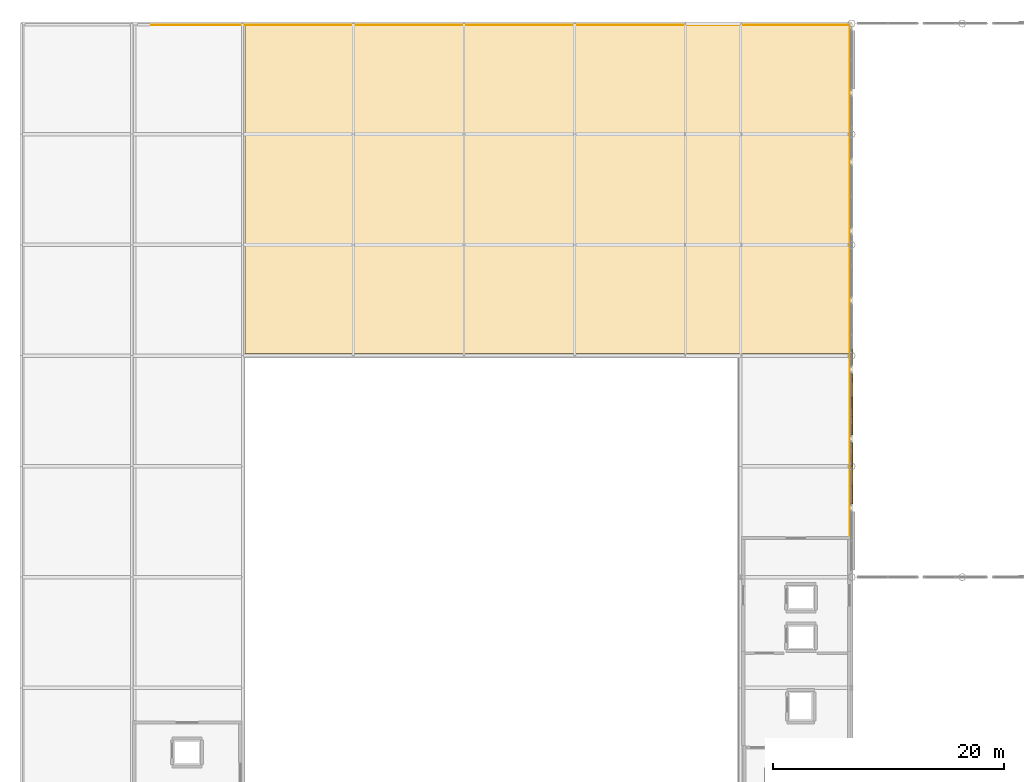
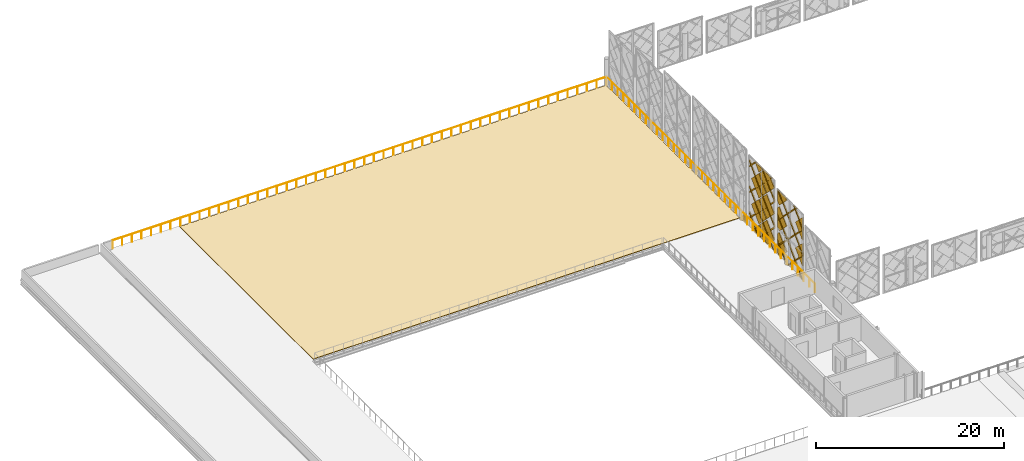
# One storey, part 48 of 53: 30 coverings, 1 railing.
"""IFC4 building model written with IfcOpenShell, lengths in metres."""

from ifc_helpers import new_model, si_unit, direction, frame, origin, origin_2d, place, context, subcontext, project, spatial, polyline, circle, outline, extrude, material, layer, layer_set, type_object, element, save


model = new_model("IFC4")

# Units and contexts
model_context = context("Model", 3, precision=1e-05, world=origin(), true_north=direction((0.0, 1.0)))
body_context = subcontext(model_context, "Body", "Model", "MODEL_VIEW")
ifc_project = project(units=[si_unit("LENGTHUNIT", "METRE"), si_unit("AREAUNIT", "SQUARE_METRE"), si_unit("VOLUMEUNIT", "CUBIC_METRE"), si_unit("PLANEANGLEUNIT", "RADIAN"), si_unit("MASSUNIT", "GRAM", prefix="KILO")], contexts=[model_context])

# Site, building, storey
site_placement = place(None, origin())
site = spatial("IfcSite", under=ifc_project, at=site_placement, CompositionType="ELEMENT")
building_placement = place(site_placement, origin())
building = spatial("IfcBuilding", under=site, at=building_placement, Name="Zevrakil Square Congress Hotel", CompositionType="ELEMENT")
storey_placement = place(building_placement, frame((0.0, 0.0, 14.699951171875)))
storey = spatial("IfcBuildingStorey", under=building, at=storey_placement, Name="L04", CompositionType="ELEMENT", Elevation=14.699951171875)

# Coverings
ifc_material_1 = material(Name="Architectural White Fibre-C GRC", Category="concrete")
ifc_layer_1 = layer(ifc_material_1, 0.06494140625)
ifc_layer_set_1 = layer_set([ifc_layer_1], Name="Architectural White Fibre-C GRC")
covering_type_1 = type_object("IfcCoveringType", Name="COV-DIA-WHITE", PredefinedType="CLADDING", material=ifc_layer_set_1)
covering_1_placement = place(storey_placement, frame((117.695068359375, 72.56005859375, -0.179931640625), z_axis=(0.999999760125, 0.0, 0.000692640526), x_axis=(0.0, -1.0, 0.0)))
element("IfcCovering", 1, at=covering_1_placement, inside=storey, type_object=covering_type_1, Name="L04 45-degree white GRC diamond facade cassette 1176", PredefinedType="CLADDING", context=body_context, shape_type="SweptSolid", body=[
    extrude(outline(polyline([(0.0, 0.0), (1.41015625, 0.0), (1.41015625, -1.4099124475784226), (0.0, 0.0)])), origin(), (0.0, 0.0, -1.0), 0.1201171875),
])
covering_2_placement = place(storey_placement, frame((117.69482421875, 76.090087890625, -0.169921875), z_axis=(0.99999985684, 5.4809643e-05, 0.000532274308), x_axis=(-0.00033761853, -0.707106744383, 0.707106737389)))
element("IfcCovering", 2, at=covering_2_placement, inside=storey, type_object=covering_type_1, Name="L04 45-degree white GRC diamond facade cassette 1177", PredefinedType="CLADDING", context=body_context, shape_type="SweptSolid", body=[
    extrude(outline(polyline([(0.0, 0.0), (2.2487239794044704, 0.0), (2.2485516645083075, -2.2485514384696526), (1.739628078143224, -2.248551405931103), (7.990954326020372e-08, -0.5089235904418198), (0.0, 0.0)])), origin(), (0.0, 0.0, -1.0), 0.1201171875),
])
covering_3_placement = place(storey_placement, frame((117.693115234375, 72.639892578125, 3.10009765625), z_axis=(0.9999998322, -8.1926907e-05, 0.000573488352), x_axis=(0.000347586468, -0.707106738472, -0.707106738472)))
element("IfcCovering", 3, at=covering_3_placement, inside=storey, type_object=covering_type_1, Name="L04 45-degree white GRC diamond facade cassette 1178", PredefinedType="CLADDING", context=body_context, shape_type="SweptSolid", body=[
    extrude(outline(polyline([(0.0, 0.0), (2.107164524546562, -2.220446049250313e-16), (-3.394399104017509e-07, -2.1071646235498394), (0.0, 0.0)])), origin(), (0.0, 0.0, -1.0), 0.1201171875),
])
covering_4_placement = place(storey_placement, frame((117.69287109375, 76.090087890625, 3.18994140625), z_axis=(0.999999812837, 0.0, 0.000611822413), x_axis=(-0.000432623818, -0.707106714509, 0.707106715519)))
element("IfcCovering", 4, at=covering_4_placement, inside=storey, type_object=covering_type_1, Name="L04 45-degree white GRC diamond facade cassette 1179", PredefinedType="CLADDING", context=body_context, shape_type="SweptSolid", body=[
    extrude(outline(polyline([(0.0, 0.0), (2.2487240723319237, 0.0), (2.248724496421547, -2.2487240723318838), (1.7396282720071192, -2.248551428883111), (0.00017273945985246675, -0.5090962243818599), (0.0, 0.0)])), origin(), (0.0, 0.0, -1.0), 0.1201171875),
])
covering_5_placement = place(storey_placement, frame((117.69091796875, 72.639892578125, 6.4599609375), z_axis=(0.9999998322, 8.1926907e-05, 0.000573488352), x_axis=(0.000463448602, -0.707106705249, -0.707106705249)))
element("IfcCovering", 5, at=covering_5_placement, inside=storey, type_object=covering_type_1, Name="L04 45-degree white GRC diamond facade cassette 1180", PredefinedType="CLADDING", context=body_context, shape_type="SweptSolid", body=[
    extrude(outline(polyline([(0.0, 0.0), (2.107164623549867, -2.220446049250313e-16), (-3.3943989441453937e-07, -2.1071645245465347), (0.0, 0.0)])), origin(), (0.0, 0.0, -1.0), 0.1201171875),
])
covering_6_placement = place(storey_placement, frame((117.69091796875, 76.090087890625, 6.550048828125), z_axis=(0.999999742393, 4.4246905e-05, 0.000716418853), x_axis=(-0.0004752974, -0.707106716919, 0.707106685714)))
element("IfcCovering", 6, at=covering_6_placement, inside=storey, type_object=covering_type_1, Name="L04 45-degree white GRC diamond facade cassette 1181", PredefinedType="CLADDING", context=body_context, shape_type="SweptSolid", body=[
    extrude(outline(polyline([(0.0, 0.0), (2.248724070442778, 0.0), (2.2487241802122186, -0.28415481722253244), (1.011977959507782, -1.5209012603177094), (0.00017273827803765407, -0.5090962240690396), (0.0, 0.0)])), origin(), (0.0, 0.0, -1.0), 0.1201171875),
])
covering_7_placement = place(storey_placement, frame((117.694091796875, 80.409912109375, 1.330078125), z_axis=(0.999999790873, 0.0, 0.000646725815), x_axis=(0.000457304257, 0.707106707249, -0.707106707249)))
element("IfcCovering", 7, at=covering_7_placement, inside=storey, type_object=covering_type_1, Name="L04 45-degree white GRC diamond facade cassette 1189", PredefinedType="CLADDING", context=body_context, shape_type="SweptSolid", body=[
    extrude(outline(polyline([(0.0, 0.0), (2.1354765131557993, 0.0), (4.465861884739297e-07, -2.1354765131557527), (0.0, 0.0)])), origin(), (0.0, 0.0, -1.0), 0.1201171875),
])
covering_8_placement = place(storey_placement, frame((117.693115234375, 78.72998046875, 3.010009765625), z_axis=(0.999999856477, 2.18091e-07, 0.000535767289), x_axis=(0.000378661405, 0.70716100192, -0.707052454899)))
element("IfcCovering", 8, at=covering_8_placement, inside=storey, type_object=covering_type_1, Name="L04 45-degree white GRC diamond facade cassette 1190", PredefinedType="CLADDING", context=body_context, shape_type="SweptSolid", body=[
    extrude(outline(polyline([(0.0, 0.0), (2.2485514420054766, 2.220446049250313e-16), (2.2483791200414514, -2.248723969768042), (0.013811095500841475, -2.2485525000985067), (-0.00017114298715226184, -2.234568117059487), (0.0, 0.0)])), origin(), (0.0, 0.0, -1.0), 0.1201171875),
])
covering_9_placement = place(storey_placement, frame((117.69189453125, 80.409912109375, 4.68994140625), z_axis=(0.999999811377, 0.0, 0.000614203339), x_axis=(0.000434274062, 0.707160967493, -0.707052457361)))
element("IfcCovering", 9, at=covering_9_placement, inside=storey, type_object=covering_type_1, Name="L04 45-degree white GRC diamond facade cassette 1191", PredefinedType="CLADDING", context=body_context, shape_type="SweptSolid", body=[
    extrude(outline(polyline([(0.0, 0.0), (2.248551551510707, 2.220446049250313e-16), (2.248379328934688, -2.248723959707921), (-0.00017198403640539262, -2.2483789048388836), (0.0, 0.0)])), origin(), (0.0, 0.0, -1.0), 0.1201171875),
])
covering_10_placement = place(storey_placement, frame((117.69091796875, 78.72998046875, 6.3701171875), z_axis=(0.999999812584, 0.0, 0.000612235231), x_axis=(0.000432915724, 0.707106714509, -0.707106715341)))
element("IfcCovering", 10, at=covering_10_placement, inside=storey, type_object=covering_type_1, Name="L04 45-degree white GRC diamond facade cassette 1192", PredefinedType="CLADDING", context=body_context, shape_type="SweptSolid", body=[
    extrude(outline(polyline([(0.0, 0.0), (2.2487240723329105, -2.220446049250313e-16), (2.2487244964245092, -2.248724072332871), (0.014156369068123897, -2.2487240696714954), (4.240832742752332e-07, -2.2345681273563454), (0.0, 0.0)])), origin(), (0.0, 0.0, -1.0), 0.1201171875),
])
covering_11_placement = place(storey_placement, frame((117.68994140625, 80.409912109375, 8.050048828125), z_axis=(0.999999811377, 0.0, 0.000614203339), x_axis=(0.000434307387, 0.707106714509, -0.707106714488)))
element("IfcCovering", 11, at=covering_11_placement, inside=storey, type_object=covering_type_1, Name="L04 45-degree white GRC diamond facade cassette 1193", PredefinedType="CLADDING", context=body_context, shape_type="SweptSolid", body=[
    extrude(outline(polyline([(0.0, 0.0), (2.2487240723349844, 0.0), (2.2485518629555123, -2.248551438892285), (0.00017305757096663932, -2.248551438827165), (0.0, 0.0)])), origin(), (0.0, 0.0, -1.0), 0.1201171875),
])
covering_12_placement = place(storey_placement, frame((117.68994140625, 80.320068359375, 8.14013671875), z_axis=(0.999999839437, -5.25783e-07, 0.000566679146), x_axis=(0.000400330919, -0.707106714898, -0.707106734151)))
element("IfcCovering", 12, at=covering_12_placement, inside=storey, type_object=covering_type_1, Name="L04 45-degree white GRC diamond facade cassette 1194", PredefinedType="CLADDING", context=body_context, shape_type="SweptSolid", body=[
    extrude(outline(polyline([(0.0, 0.0), (2.2487240710395673, -2.220446049250313e-16), (2.248723649670615, -2.2345681259311787), (2.2345677043091996, -2.2487240686300325), (0.9037360295019364, -2.248551399190312), (0.00017241969329773177, -1.3449876199706976), (0.0, 0.0)])), origin(), (0.0, 0.0, -1.0), 0.1201171875),
])
covering_13_placement = place(storey_placement, frame((117.68994140625, 80.409912109375, 8.22998046875), z_axis=(0.999999839225, 0.0, 0.000567054063), x_axis=(-0.000401024652, -0.707006461058, 0.707206973383)))
element("IfcCovering", 13, at=covering_13_placement, inside=storey, type_object=covering_type_1, Name="L04 45-degree white GRC diamond facade cassette 1195", PredefinedType="CLADDING", context=body_context, shape_type="SweptSolid", body=[
    extrude(outline(polyline([(0.0, 0.0), (1.217584125698602, -1.1102230246251565e-16), (0.00017285376530440377, -1.2177567346701088), (0.0, 0.0)])), origin(), (0.0, 0.0, -1.0), 0.1201171875),
])
covering_14_placement = place(storey_placement, frame((117.695068359375, 84.56005859375, -0.179931640625), z_axis=(0.999999760125, 0.0, 0.000692640526), x_axis=(0.0, -1.0, 0.0)))
element("IfcCovering", 14, at=covering_14_placement, inside=storey, type_object=covering_type_1, Name="L04 45-degree white GRC diamond facade cassette 1204", PredefinedType="CLADDING", context=body_context, shape_type="SweptSolid", body=[
    extrude(outline(polyline([(0.0, 0.0), (1.41015625, 0.0), (1.41015625, -1.4099124475784226), (0.0, 0.0)])), origin(), (0.0, 0.0, -1.0), 0.1201171875),
])
ifc_material_2 = material(Name="Anodised Champagne Aluminium", Category="aluminium")
ifc_layer_2 = layer(ifc_material_2, 0.0849609375)
ifc_layer_set_2 = layer_set([ifc_layer_2], Name="Anodised Champagne Aluminium")
covering_type_2 = type_object("IfcCoveringType", Name="COV-DIAGRID-45", PredefinedType="MOLDING", material=ifc_layer_set_2)
covering_15_placement = place(storey_placement, frame((117.716064453125, 71.14990234375, 6.453857421875), z_axis=(0.999999574395, -0.000266426087, 0.000883304948), x_axis=(-0.000883304999, -7.0901e-08, 0.999999609886)))
element("IfcCovering", 15, at=covering_15_placement, inside=storey, type_object=covering_type_2, Name="L04 45-degree aluminium diagrid rib 1182", PredefinedType="MOLDING", context=body_context, shape_type="SweptSolid", body=[
    extrude(outline(polyline([(0.0, 0.0), (0.2124024765395195, 0.0), (1.8872072545143885, -1.6750490213801978), (1.887207239472112, -1.887207216975399), (0.0, 0.0)])), origin(), (0.0, 0.0, -1.0), 0.14501953125),
])
covering_16_placement = place(storey_placement, frame((117.718017578125, 71.14990234375, 3.093994140625), z_axis=(0.99999990472, 0.000308497425, 0.000308852427), x_axis=(-0.000308852413, -9.528e-08, 0.999999952305)))
element("IfcCovering", 16, at=covering_16_placement, inside=storey, type_object=covering_type_2, Name="L04 45-degree aluminium diagrid rib 1183", PredefinedType="MOLDING", context=body_context, shape_type="SweptSolid", body=[
    extrude(outline(polyline([(0.0, 0.0), (0.21215819300613317, -2.8078904387053947e-24), (5.247070562758569, -5.034912848904865), (5.247070542520835, -5.247315182547628), (0.0, 0.0)])), origin(), (0.0, 0.0, -1.0), 0.14501953125),
])
covering_17_placement = place(storey_placement, frame((117.719970703125, 71.236083984375, -0.179931640625), z_axis=(0.999999877937, 0.000478784596, 0.000122029576), x_axis=(0.000478784592, -0.999999885383, 5.8426e-08)))
element("IfcCovering", 17, at=covering_17_placement, inside=storey, type_object=covering_type_2, Name="L04 45-degree aluminium diagrid rib 1184", PredefinedType="MOLDING", context=body_context, shape_type="SweptSolid", body=[
    extrude(outline(polyline([(0.0, 0.0), (0.08618163074708864, 0.0), (0.08618163810738114, -0.1259765615620276), (-5.213867792460008, -5.426025737525873), (-5.213867804855539, -5.213867535980521), (0.0, 0.0)])), origin(), (0.0, 0.0, -1.0), 0.14501953125),
])
covering_18_placement = place(storey_placement, frame((117.719970703125, 74.59619140625, -0.179931640625), z_axis=(0.999999903024, 0.000311410035, 0.000311410035), x_axis=(0.000311410019, -0.999999951512, 9.6976e-08)))
element("IfcCovering", 18, at=covering_18_placement, inside=storey, type_object=covering_type_2, Name="L04 45-degree aluminium diagrid rib 1185", PredefinedType="MOLDING", context=body_context, shape_type="SweptSolid", body=[
    extrude(outline(polyline([(0.0, 0.0), (0.21240233345101264, 0.0), (-1.8537598555103045, -2.0661623893299237), (-1.8537598761082796, -1.853760055878912), (0.0, 0.0)])), origin(), (0.0, 0.0, -1.0), 0.14501953125),
])
covering_19_placement = place(storey_placement, frame((117.718017578125, 71.14990234375, 2.89404296875), z_axis=(0.999999905696, -0.00030708991, 0.00030708991), x_axis=(-0.000307089896, 9.4304e-08, 0.999999952848)))
element("IfcCovering", 19, at=covering_19_placement, inside=storey, type_object=covering_type_2, Name="L04 45-degree aluminium diagrid rib 1186", PredefinedType="MOLDING", context=body_context, shape_type="SweptSolid", body=[
    extrude(outline(polyline([(0.0, 0.0), (0.2121581931212936, 0.0), (-3.0739747543193885, -3.2861332573369064), (-3.073974774326802, -3.0739750642156136), (0.0, 0.0)])), origin(), (0.0, 0.0, -1.0), 0.14501953125),
])
covering_20_placement = place(storey_placement, frame((117.716064453125, 71.14990234375, 6.25390625), z_axis=(0.999999834662, -7.68172e-07, 0.000575043033), x_axis=(-0.000575043033, 4.42e-10, 0.999999834663)))
element("IfcCovering", 20, at=covering_20_placement, inside=storey, type_object=covering_type_2, Name="L04 45-degree aluminium diagrid rib 1187", PredefinedType="MOLDING", context=body_context, shape_type="SweptSolid", body=[
    extrude(outline(polyline([(0.0, 0.0), (0.2121581680473443, 0.0), (-5.087647325552662, -5.300048830373941), (-5.3000497745760065, -5.300048830561482), (0.0, 0.0)])), origin(), (0.0, 0.0, -1.0), 0.14501953125),
])
covering_21_placement = place(storey_placement, frame((117.71484375, 72.4228515625, 8.341064453125), z_axis=(0.999999581473, 0.000279617206, 0.000871130299), x_axis=(-0.0002796171, 0.999999960907, -2.43583e-07)))
element("IfcCovering", 21, at=covering_21_placement, inside=storey, type_object=covering_type_2, Name="L04 45-degree aluminium diagrid rib 1188", PredefinedType="MOLDING", context=body_context, shape_type="SweptSolid", body=[
    extrude(outline(polyline([(0.0, 0.0), (0.21215819483112233, 0.0), (4.027099766805976, -3.814941872835875), (4.027099750218219, -4.027100208139122), (0.0, 0.0)])), origin(), (0.0, 0.0, -1.0), 0.14501953125),
])
covering_22_placement = place(storey_placement, frame((117.716064453125, 77.14990234375, 6.453857421875), z_axis=(0.99999957125, -0.000261361694, 0.000888363516), x_axis=(-0.000888363565, -6.8231e-08, 0.999999605405)))
element("IfcCovering", 22, at=covering_22_placement, inside=storey, type_object=covering_type_2, Name="L04 45-degree aluminium diagrid rib 1196", PredefinedType="MOLDING", context=body_context, shape_type="SweptSolid", body=[
    extrude(outline(polyline([(0.0, 0.0), (0.21240247682273486, -1.3234889800848443e-23), (2.6372073433563488, -2.425049090892764), (2.6372073288805025, -2.6372072867715066), (0.0, 0.0)])), origin(), (0.0, 0.0, -1.0), 0.14501953125),
])
covering_23_placement = place(storey_placement, frame((117.718017578125, 77.14990234375, 3.093994140625), z_axis=(0.999999833392, 4.64879e-05, 0.000575373897), x_axis=(-0.000575373897, -2.6748e-08, 0.999999834472)))
element("IfcCovering", 23, at=covering_23_placement, inside=storey, type_object=covering_type_2, Name="L04 45-degree aluminium diagrid rib 1197", PredefinedType="MOLDING", context=body_context, shape_type="SweptSolid", body=[
    extrude(outline(polyline([(0.0, 0.0), (0.2121581680069672, 7.019726096763487e-25), (5.5122079436724105, -5.300048981292179), (5.300049635193301, -5.300048969942592), (0.0, 0.0)])), origin(), (0.0, 0.0, -1.0), 0.14501953125),
])
covering_24_placement = place(storey_placement, frame((117.719970703125, 77.236083984375, -0.179931640625), z_axis=(0.999999877937, 0.000478784596, 0.000122029576), x_axis=(0.000478784592, -0.999999885383, 5.8426e-08)))
element("IfcCovering", 24, at=covering_24_placement, inside=storey, type_object=covering_type_2, Name="L04 45-degree aluminium diagrid rib 1198", PredefinedType="MOLDING", context=body_context, shape_type="SweptSolid", body=[
    extrude(outline(polyline([(0.0, 0.0), (0.08618163074708864, 0.0), (0.08618163810738114, -0.1259765615620276), (-5.213867792460008, -5.426025737525873), (-5.213867804855539, -5.213867535980521), (0.0, 0.0)])), origin(), (0.0, 0.0, -1.0), 0.14501953125),
])
covering_25_placement = place(storey_placement, frame((117.719970703125, 80.59619140625, -0.179931640625), z_axis=(0.999999903024, 0.000311410035, 0.000311410035), x_axis=(0.000311410019, -0.999999951512, 9.6976e-08)))
element("IfcCovering", 25, at=covering_25_placement, inside=storey, type_object=covering_type_2, Name="L04 45-degree aluminium diagrid rib 1199", PredefinedType="MOLDING", context=body_context, shape_type="SweptSolid", body=[
    extrude(outline(polyline([(0.0, 0.0), (0.21240233345101264, 0.0), (-1.8537598555103045, -2.0661623893299237), (-1.8537598761082796, -1.853760055878912), (0.0, 0.0)])), origin(), (0.0, 0.0, -1.0), 0.14501953125),
])
covering_26_placement = place(storey_placement, frame((117.718017578125, 77.14990234375, 2.89404296875), z_axis=(0.999999905696, -0.00030708991, 0.00030708991), x_axis=(-0.000307089896, 9.4304e-08, 0.999999952848)))
element("IfcCovering", 26, at=covering_26_placement, inside=storey, type_object=covering_type_2, Name="L04 45-degree aluminium diagrid rib 1200", PredefinedType="MOLDING", context=body_context, shape_type="SweptSolid", body=[
    extrude(outline(polyline([(0.0, 0.0), (0.2121581931212936, 0.0), (-3.0739747543193885, -3.2861332573369064), (-3.073974774326802, -3.0739750642156136), (0.0, 0.0)])), origin(), (0.0, 0.0, -1.0), 0.14501953125),
])
covering_27_placement = place(storey_placement, frame((117.716064453125, 77.14990234375, 6.25390625), z_axis=(0.999999834662, -7.68172e-07, 0.000575043033), x_axis=(-0.000575043033, 4.42e-10, 0.999999834663)))
element("IfcCovering", 27, at=covering_27_placement, inside=storey, type_object=covering_type_2, Name="L04 45-degree aluminium diagrid rib 1201", PredefinedType="MOLDING", context=body_context, shape_type="SweptSolid", body=[
    extrude(outline(polyline([(0.0, 0.0), (0.2121581680473443, 0.0), (-5.087647325552662, -5.300048830373941), (-5.3000497745760065, -5.300048830561482), (0.0, 0.0)])), origin(), (0.0, 0.0, -1.0), 0.14501953125),
])
covering_28_placement = place(storey_placement, frame((117.71435546875, 77.6728515625, 9.091064453125), z_axis=(0.999999578623, 0.00027483814, 0.000875909362), x_axis=(-0.000274838034, 0.999999962232, -2.40733e-07)))
element("IfcCovering", 28, at=covering_28_placement, inside=storey, type_object=covering_type_2, Name="L04 45-degree aluminium diagrid rib 1202", PredefinedType="MOLDING", context=body_context, shape_type="SweptSolid", body=[
    extrude(outline(polyline([(0.0, 0.0), (0.21215819511220851, 0.0), (4.777099789796515, -4.564942007394465), (4.777099773770932, -4.777100342978797), (0.0, 0.0)])), origin(), (0.0, 0.0, -1.0), 0.14501953125),
])
covering_29_placement = place(storey_placement, frame((117.71435546875, 81.032958984375, 9.091064453125), z_axis=(0.999999921968, -0.000279503233, 0.000279181965), x_axis=(0.000279503223, 0.999999960939, 7.8032e-08)))
element("IfcCovering", 29, at=covering_29_placement, inside=storey, type_object=covering_type_2, Name="L04 45-degree aluminium diagrid rib 1203", PredefinedType="MOLDING", context=body_context, shape_type="SweptSolid", body=[
    extrude(outline(polyline([(0.0, 0.0), (0.21215819483788217, 0.0), (1.416992242849176, -1.2048341419000534), (1.41699222627494, -1.4172364773724604), (0.0, 0.0)])), origin(), (0.0, 0.0, -1.0), 0.14501953125),
])
ifc_material_3 = material(Name="EPDM Weatherproof Roof Membrane")
ifc_layer_3 = layer(ifc_material_3, 0.06005859375)
ifc_layer_set_3 = layer_set([ifc_layer_3], Name="EPDM Weatherproof Roof Membrane")
covering_type_3 = type_object("IfcCoveringType", Name="COV-ROOF-MEMB-060", PredefinedType="ROOFING", material=ifc_layer_set_3)
covering_30_placement = place(storey_placement, origin())
element("IfcCovering", 30, at=covering_30_placement, inside=storey, type_object=covering_type_3, Name="L04 weatherproof roof membrane covering COV-ROOF-L04-NTH", PredefinedType="ROOFING", context=body_context, shape_type="SweptSolid", body=[
    extrude(outline(polyline([(65.0, 84.199951171875), (117.39990234375, 84.199951171875), (117.39990234375, 112.60009765625), (65.0, 112.60009765625), (65.0, 84.199951171875)])), origin(), (0.0, 0.0, 1.0), 0.06005859375),
])

# Railing
ifc_material_4 = material(Name="Steel S355", Category="steel")
railing_type = type_object("IfcRailingType", Name="RLG-TERR-1100", PredefinedType="BALUSTRADE", material=ifc_material_4)
railing_placement = place(storey_placement, frame((56.800048828125, 112.679931640625, 0.0)))
element("IfcRailing", 31, at=railing_placement, inside=storey, type_object=railing_type, Name="L04 terrace and void safety balustrade guard 33", PredefinedType="BALUSTRADE", context=body_context, shape_type="SweptSolid", body=[
    extrude(circle(Radius=0.02392578125, at=origin_2d()), frame((0.0, 0.0, 1.076171875), z_axis=(1.0, 0.0, 0.0), x_axis=(0.0, 1.0, 0.0)), (0.0, 0.0, 1.0), 60.679931640625),
    extrude(circle(Radius=0.02392578125, at=origin_2d()), frame((60.679931640625, 0.0, 1.076171875), z_axis=(0.0, -1.0, 0.0), x_axis=(1.0, 0.0, 0.0)), (0.0, 0.0, 1.0), 44.3798828125),
    extrude(circle(Radius=0.02099609375, at=origin_2d()), origin(), (0.0, 0.0, 1.0), 1.052001953125),
    extrude(circle(Radius=0.02099609375, at=origin_2d()), frame((1.189697265625, 0.0, 0.0)), (0.0, 0.0, 1.0), 1.052001953125),
    extrude(circle(Radius=0.02099609375, at=origin_2d()), frame((2.379638671875, 0.0, 0.0)), (0.0, 0.0, 1.0), 1.052001953125),
    extrude(circle(Radius=0.02099609375, at=origin_2d()), frame((3.5693359375, 0.0, 0.0)), (0.0, 0.0, 1.0), 1.052001953125),
    extrude(circle(Radius=0.02099609375, at=origin_2d()), frame((4.75927734375, 0.0, 0.0)), (0.0, 0.0, 1.0), 1.052001953125),
    extrude(circle(Radius=0.02099609375, at=origin_2d()), frame((5.948974609375, 0.0, 0.0)), (0.0, 0.0, 1.0), 1.052001953125),
    extrude(circle(Radius=0.02099609375, at=origin_2d()), frame((7.138916015625, 0.0, 0.0)), (0.0, 0.0, 1.0), 1.052001953125),
    extrude(circle(Radius=0.02099609375, at=origin_2d()), frame((8.32861328125, 0.0, 0.0)), (0.0, 0.0, 1.0), 1.052001953125),
    extrude(circle(Radius=0.02099609375, at=origin_2d()), frame((9.518310546875, 0.0, 0.0)), (0.0, 0.0, 1.0), 1.052001953125),
    extrude(circle(Radius=0.02099609375, at=origin_2d()), frame((10.708251953125, 0.0, 0.0)), (0.0, 0.0, 1.0), 1.052001953125),
    extrude(circle(Radius=0.02099609375, at=origin_2d()), frame((11.89794921875, 0.0, 0.0)), (0.0, 0.0, 1.0), 1.052001953125),
    extrude(circle(Radius=0.02099609375, at=origin_2d()), frame((13.087890625, 0.0, 0.0)), (0.0, 0.0, 1.0), 1.052001953125),
    extrude(circle(Radius=0.02099609375, at=origin_2d()), frame((14.277587890625, 0.0, 0.0)), (0.0, 0.0, 1.0), 1.052001953125),
    extrude(circle(Radius=0.02099609375, at=origin_2d()), frame((15.467529296875, 0.0, 0.0)), (0.0, 0.0, 1.0), 1.052001953125),
    extrude(circle(Radius=0.02099609375, at=origin_2d()), frame((16.6572265625, 0.0, 0.0)), (0.0, 0.0, 1.0), 1.052001953125),
    extrude(circle(Radius=0.02099609375, at=origin_2d()), frame((17.846923828125, 0.0, 0.0)), (0.0, 0.0, 1.0), 1.052001953125),
    extrude(circle(Radius=0.02099609375, at=origin_2d()), frame((19.036865234375, 0.0, 0.0)), (0.0, 0.0, 1.0), 1.052001953125),
    extrude(circle(Radius=0.02099609375, at=origin_2d()), frame((20.2265625, 0.0, 0.0)), (0.0, 0.0, 1.0), 1.052001953125),
    extrude(circle(Radius=0.02099609375, at=origin_2d()), frame((21.41650390625, 0.0, 0.0)), (0.0, 0.0, 1.0), 1.052001953125),
    extrude(circle(Radius=0.02099609375, at=origin_2d()), frame((22.606201171875, 0.0, 0.0)), (0.0, 0.0, 1.0), 1.052001953125),
    extrude(circle(Radius=0.02099609375, at=origin_2d()), frame((23.796142578125, 0.0, 0.0)), (0.0, 0.0, 1.0), 1.052001953125),
    extrude(circle(Radius=0.02099609375, at=origin_2d()), frame((24.98583984375, 0.0, 0.0)), (0.0, 0.0, 1.0), 1.052001953125),
    extrude(circle(Radius=0.02099609375, at=origin_2d()), frame((26.175537109375, 0.0, 0.0)), (0.0, 0.0, 1.0), 1.052001953125),
    extrude(circle(Radius=0.02099609375, at=origin_2d()), frame((27.365478515625, 0.0, 0.0)), (0.0, 0.0, 1.0), 1.052001953125),
    extrude(circle(Radius=0.02099609375, at=origin_2d()), frame((28.55517578125, 0.0, 0.0)), (0.0, 0.0, 1.0), 1.052001953125),
    extrude(circle(Radius=0.02099609375, at=origin_2d()), frame((29.7451171875, 0.0, 0.0)), (0.0, 0.0, 1.0), 1.052001953125),
    extrude(circle(Radius=0.02099609375, at=origin_2d()), frame((30.934814453125, 0.0, 0.0)), (0.0, 0.0, 1.0), 1.052001953125),
    extrude(circle(Radius=0.02099609375, at=origin_2d()), frame((32.124755859375, 0.0, 0.0)), (0.0, 0.0, 1.0), 1.052001953125),
    extrude(circle(Radius=0.02099609375, at=origin_2d()), frame((33.314453125, 0.0, 0.0)), (0.0, 0.0, 1.0), 1.052001953125),
    extrude(circle(Radius=0.02099609375, at=origin_2d()), frame((34.50439453125, 0.0, 0.0)), (0.0, 0.0, 1.0), 1.052001953125),
    extrude(circle(Radius=0.02099609375, at=origin_2d()), frame((35.694091796875, 0.0, 0.0)), (0.0, 0.0, 1.0), 1.052001953125),
    extrude(circle(Radius=0.02099609375, at=origin_2d()), frame((36.8837890625, 0.0, 0.0)), (0.0, 0.0, 1.0), 1.052001953125),
    extrude(circle(Radius=0.02099609375, at=origin_2d()), frame((38.07373046875, 0.0, 0.0)), (0.0, 0.0, 1.0), 1.052001953125),
    extrude(circle(Radius=0.02099609375, at=origin_2d()), frame((39.263427734375, 0.0, 0.0)), (0.0, 0.0, 1.0), 1.052001953125),
    extrude(circle(Radius=0.02099609375, at=origin_2d()), frame((40.453369140625, 0.0, 0.0)), (0.0, 0.0, 1.0), 1.052001953125),
    extrude(circle(Radius=0.02099609375, at=origin_2d()), frame((41.64306640625, 0.0, 0.0)), (0.0, 0.0, 1.0), 1.052001953125),
    extrude(circle(Radius=0.02099609375, at=origin_2d()), frame((42.8330078125, 0.0, 0.0)), (0.0, 0.0, 1.0), 1.052001953125),
    extrude(circle(Radius=0.02099609375, at=origin_2d()), frame((44.022705078125, 0.0, 0.0)), (0.0, 0.0, 1.0), 1.052001953125),
    extrude(circle(Radius=0.02099609375, at=origin_2d()), frame((45.21240234375, 0.0, 0.0)), (0.0, 0.0, 1.0), 1.052001953125),
    extrude(circle(Radius=0.02099609375, at=origin_2d()), frame((46.40234375, 0.0, 0.0)), (0.0, 0.0, 1.0), 1.052001953125),
    extrude(circle(Radius=0.02099609375, at=origin_2d()), frame((47.592041015625, 0.0, 0.0)), (0.0, 0.0, 1.0), 1.052001953125),
    extrude(circle(Radius=0.02099609375, at=origin_2d()), frame((48.781982421875, 0.0, 0.0)), (0.0, 0.0, 1.0), 1.052001953125),
    extrude(circle(Radius=0.02099609375, at=origin_2d()), frame((49.9716796875, 0.0, 0.0)), (0.0, 0.0, 1.0), 1.052001953125),
    extrude(circle(Radius=0.02099609375, at=origin_2d()), frame((51.16162109375, 0.0, 0.0)), (0.0, 0.0, 1.0), 1.052001953125),
    extrude(circle(Radius=0.02099609375, at=origin_2d()), frame((52.351318359375, 0.0, 0.0)), (0.0, 0.0, 1.0), 1.052001953125),
    extrude(circle(Radius=0.02099609375, at=origin_2d()), frame((53.541015625, 0.0, 0.0)), (0.0, 0.0, 1.0), 1.052001953125),
    extrude(circle(Radius=0.02099609375, at=origin_2d()), frame((54.73095703125, 0.0, 0.0)), (0.0, 0.0, 1.0), 1.052001953125),
    extrude(circle(Radius=0.02099609375, at=origin_2d()), frame((55.920654296875, 0.0, 0.0)), (0.0, 0.0, 1.0), 1.052001953125),
    extrude(circle(Radius=0.02099609375, at=origin_2d()), frame((57.110595703125, 0.0, 0.0)), (0.0, 0.0, 1.0), 1.052001953125),
    extrude(circle(Radius=0.02099609375, at=origin_2d()), frame((58.30029296875, 0.0, 0.0)), (0.0, 0.0, 1.0), 1.052001953125),
    extrude(circle(Radius=0.02099609375, at=origin_2d()), frame((59.490234375, 0.0, 0.0)), (0.0, 0.0, 1.0), 1.052001953125),
    extrude(circle(Radius=0.02099609375, at=origin_2d()), frame((60.679931640625, 0.0, 0.0)), (0.0, 0.0, 1.0), 1.052001953125),
    extrude(circle(Radius=0.02099609375, at=origin_2d()), frame((60.679931640625, -1.199462890625, 0.0)), (0.0, 0.0, 1.0), 1.052001953125),
    extrude(circle(Radius=0.02099609375, at=origin_2d()), frame((60.679931640625, -2.39892578125, 0.0)), (0.0, 0.0, 1.0), 1.052001953125),
    extrude(circle(Radius=0.02099609375, at=origin_2d()), frame((60.679931640625, -3.598388671875, 0.0)), (0.0, 0.0, 1.0), 1.052001953125),
    extrude(circle(Radius=0.02099609375, at=origin_2d()), frame((60.679931640625, -4.7978515625, 0.0)), (0.0, 0.0, 1.0), 1.052001953125),
    extrude(circle(Radius=0.02099609375, at=origin_2d()), frame((60.679931640625, -5.997314453125, 0.0)), (0.0, 0.0, 1.0), 1.052001953125),
    extrude(circle(Radius=0.02099609375, at=origin_2d()), frame((60.679931640625, -7.19677734375, 0.0)), (0.0, 0.0, 1.0), 1.052001953125),
    extrude(circle(Radius=0.02099609375, at=origin_2d()), frame((60.679931640625, -8.396240234375, 0.0)), (0.0, 0.0, 1.0), 1.052001953125),
    extrude(circle(Radius=0.02099609375, at=origin_2d()), frame((60.679931640625, -9.595703125, 0.0)), (0.0, 0.0, 1.0), 1.052001953125),
    extrude(circle(Radius=0.02099609375, at=origin_2d()), frame((60.679931640625, -10.795166015625, 0.0)), (0.0, 0.0, 1.0), 1.052001953125),
    extrude(circle(Radius=0.02099609375, at=origin_2d()), frame((60.679931640625, -11.99462890625, 0.0)), (0.0, 0.0, 1.0), 1.052001953125),
    extrude(circle(Radius=0.02099609375, at=origin_2d()), frame((60.679931640625, -13.194091796875, 0.0)), (0.0, 0.0, 1.0), 1.052001953125),
    extrude(circle(Radius=0.02099609375, at=origin_2d()), frame((60.679931640625, -14.3935546875, 0.0)), (0.0, 0.0, 1.0), 1.052001953125),
    extrude(circle(Radius=0.02099609375, at=origin_2d()), frame((60.679931640625, -15.593017578125, 0.0)), (0.0, 0.0, 1.0), 1.052001953125),
    extrude(circle(Radius=0.02099609375, at=origin_2d()), frame((60.679931640625, -16.79248046875, 0.0)), (0.0, 0.0, 1.0), 1.052001953125),
    extrude(circle(Radius=0.02099609375, at=origin_2d()), frame((60.679931640625, -17.991943359375, 0.0)), (0.0, 0.0, 1.0), 1.052001953125),
    extrude(circle(Radius=0.02099609375, at=origin_2d()), frame((60.679931640625, -19.19140625, 0.0)), (0.0, 0.0, 1.0), 1.052001953125),
    extrude(circle(Radius=0.02099609375, at=origin_2d()), frame((60.679931640625, -20.390869140625, 0.0)), (0.0, 0.0, 1.0), 1.052001953125),
    extrude(circle(Radius=0.02099609375, at=origin_2d()), frame((60.679931640625, -21.59033203125, 0.0)), (0.0, 0.0, 1.0), 1.052001953125),
    extrude(circle(Radius=0.02099609375, at=origin_2d()), frame((60.679931640625, -22.78955078125, 0.0)), (0.0, 0.0, 1.0), 1.052001953125),
    extrude(circle(Radius=0.02099609375, at=origin_2d()), frame((60.679931640625, -23.989013671875, 0.0)), (0.0, 0.0, 1.0), 1.052001953125),
    extrude(circle(Radius=0.02099609375, at=origin_2d()), frame((60.679931640625, -25.1884765625, 0.0)), (0.0, 0.0, 1.0), 1.052001953125),
    extrude(circle(Radius=0.02099609375, at=origin_2d()), frame((60.679931640625, -26.387939453125, 0.0)), (0.0, 0.0, 1.0), 1.052001953125),
    extrude(circle(Radius=0.02099609375, at=origin_2d()), frame((60.679931640625, -27.58740234375, 0.0)), (0.0, 0.0, 1.0), 1.052001953125),
    extrude(circle(Radius=0.02099609375, at=origin_2d()), frame((60.679931640625, -28.786865234375, 0.0)), (0.0, 0.0, 1.0), 1.052001953125),
    extrude(circle(Radius=0.02099609375, at=origin_2d()), frame((60.679931640625, -29.986328125, 0.0)), (0.0, 0.0, 1.0), 1.052001953125),
    extrude(circle(Radius=0.02099609375, at=origin_2d()), frame((60.679931640625, -31.185791015625, 0.0)), (0.0, 0.0, 1.0), 1.052001953125),
    extrude(circle(Radius=0.02099609375, at=origin_2d()), frame((60.679931640625, -32.38525390625, 0.0)), (0.0, 0.0, 1.0), 1.052001953125),
    extrude(circle(Radius=0.02099609375, at=origin_2d()), frame((60.679931640625, -33.584716796875, 0.0)), (0.0, 0.0, 1.0), 1.052001953125),
    extrude(circle(Radius=0.02099609375, at=origin_2d()), frame((60.679931640625, -34.7841796875, 0.0)), (0.0, 0.0, 1.0), 1.052001953125),
    extrude(circle(Radius=0.02099609375, at=origin_2d()), frame((60.679931640625, -35.983642578125, 0.0)), (0.0, 0.0, 1.0), 1.052001953125),
    extrude(circle(Radius=0.02099609375, at=origin_2d()), frame((60.679931640625, -37.18310546875, 0.0)), (0.0, 0.0, 1.0), 1.052001953125),
    extrude(circle(Radius=0.02099609375, at=origin_2d()), frame((60.679931640625, -38.382568359375, 0.0)), (0.0, 0.0, 1.0), 1.052001953125),
    extrude(circle(Radius=0.02099609375, at=origin_2d()), frame((60.679931640625, -39.58203125, 0.0)), (0.0, 0.0, 1.0), 1.052001953125),
    extrude(circle(Radius=0.02099609375, at=origin_2d()), frame((60.679931640625, -40.781494140625, 0.0)), (0.0, 0.0, 1.0), 1.052001953125),
    extrude(circle(Radius=0.02099609375, at=origin_2d()), frame((60.679931640625, -41.98095703125, 0.0)), (0.0, 0.0, 1.0), 1.052001953125),
    extrude(circle(Radius=0.02099609375, at=origin_2d()), frame((60.679931640625, -43.180419921875, 0.0)), (0.0, 0.0, 1.0), 1.052001953125),
    extrude(circle(Radius=0.02099609375, at=origin_2d()), frame((60.679931640625, -44.3798828125, 0.0)), (0.0, 0.0, 1.0), 1.052001953125),
])

save(model, "model.ifc")
